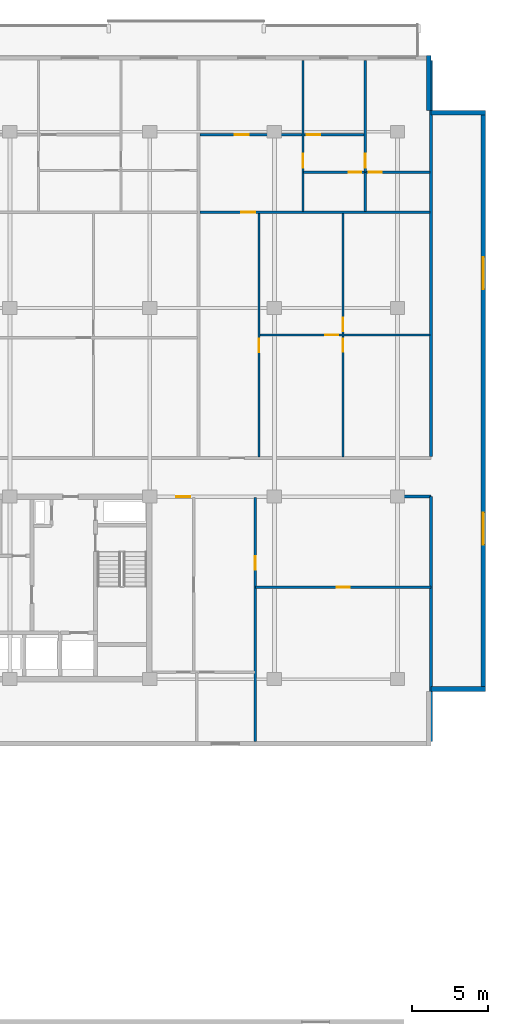
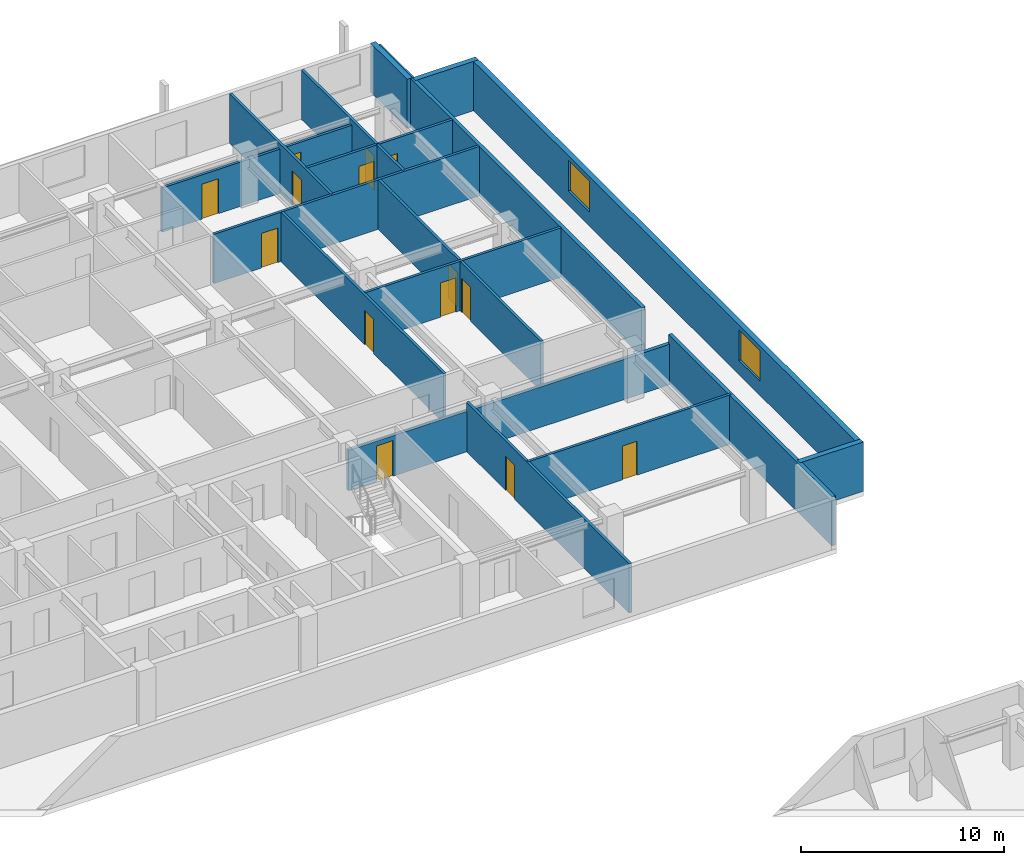
# One storey, part 15 of 21: 18 walls, 14 doors, 2 windows, 16 openings.
"""IFC4 building model written with IfcOpenShell, lengths in metres."""

from ifc_helpers import new_model, si_unit, direction, frame, frame_2d, origin, place, context, subcontext, project, spatial, rectangle, extrude, material, layer, layer_set, type_object, element, fill, save


model = new_model("IFC4")

# Units and contexts
model_context = context("Model", 3, precision=1e-05, world=origin(), true_north=direction((0.0, 1.0)))
body_context = subcontext(model_context, "Body", "Model", "MODEL_VIEW")
ifc_project = project(units=[si_unit("LENGTHUNIT", "METRE"), si_unit("AREAUNIT", "SQUARE_METRE"), si_unit("VOLUMEUNIT", "CUBIC_METRE"), si_unit("PLANEANGLEUNIT", "RADIAN"), si_unit("MASSUNIT", "GRAM", prefix="KILO")], contexts=[model_context])

# Site, building, storey
site_placement = place(None, origin())
site = spatial("IfcSite", under=ifc_project, at=site_placement, CompositionType="ELEMENT")
building_placement = place(site_placement, origin())
building = spatial("IfcBuilding", under=site, at=building_placement, Name="Korimba Cascade Residences", CompositionType="ELEMENT")
storey_placement = place(building_placement, frame((0.0, 0.0, 119.800048828125)))
storey = spatial("IfcBuildingStorey", under=building, at=storey_placement, Name="L34", CompositionType="ELEMENT", Elevation=119.800048828125)

# Wall
ifc_material_1 = material(Name="Precast concrete C40/50", Category="concrete")
ifc_layer_1 = layer(ifc_material_1, 0.300048828125)
ifc_layer_set_1 = layer_set([ifc_layer_1], Name="Precast concrete C40/50")
wall_type_1 = type_object("IfcWallType", Name="EW-STONE-300", PredefinedType="STANDARD", material=ifc_layer_set_1)
wall_1_placement = place(storey_placement, frame((130.60009765625, 54.550048828125, 0.0), z_axis=(0.0, 0.0, 1.0), x_axis=(1.0, 0.0, 0.0)))
element("IfcWall", 1, at=wall_1_placement, inside=storey, type_object=wall_type_1, Name="L34 T1 Perimeter Stone Wall E02", PredefinedType="STANDARD", context=body_context, shape_type="SweptSolid", body=[
    extrude(rectangle(XDim=3.599853515625, YDim=0.300048828125, at=frame_2d((1.7998046875, 0.0))), origin(), (0.0, 0.0, 1.0), 2.969970703125),
])

# Wall, openings, windows
wall_2_placement = place(storey_placement, frame((134.050048828125, 54.39990234375, 0.0), z_axis=(0.0, 0.0, 1.0), x_axis=(0.0, 1.0, 0.0)))
wall_2 = element("IfcWall", 2, at=wall_2_placement, inside=storey, type_object=wall_type_1, Name="L34 T1 Perimeter Stone Wall E03", PredefinedType="STANDARD", context=body_context, shape_type="SweptSolid", body=[
    extrude(rectangle(XDim=38.2001953125, YDim=0.300048828125, at=frame_2d((19.10009765625, 0.0))), origin(), (0.0, 0.0, 1.0), 2.969970703125),
])
opening_1_placement = place(wall_2_placement, frame((9.64599609375, 0.0, 0.85009765625)))
opening_1 = element("IfcOpeningElement", 3, at=opening_1_placement, cuts=wall_2, Name="Opening W-03", PredefinedType="OPENING", context=body_context, shape_type="SweptSolid", body=[
    extrude(rectangle(XDim=2.10009765625, YDim=1.85009765625, at=frame_2d((1.050048828125, 0.925048828125))), frame((0.0, 0.16015625, 0.0), z_axis=(0.0, -1.0, 0.0), x_axis=(1.0, 0.0, 0.0)), (0.0, 0.0, 1.0), 0.320068359375),
])
opening_2_placement = place(wall_2_placement, frame((26.4541015625, 0.0, 0.85009765625)))
opening_2 = element("IfcOpeningElement", 4, at=opening_2_placement, cuts=wall_2, Name="Opening W-03", PredefinedType="OPENING", context=body_context, shape_type="SweptSolid", body=[
    extrude(rectangle(XDim=2.10009765625, YDim=1.85009765625, at=frame_2d((1.050048828125, 0.925048828125))), frame((0.0, 0.16015625, 0.0), z_axis=(0.0, -1.0, 0.0), x_axis=(1.0, 0.0, 0.0)), (0.0, 0.0, 1.0), 0.320068359375),
])
ifc_material_2 = material(Name="Double-Glazed Aluminium Window", Category="aluminium")
window_type = type_object("IfcWindowType", Name="WIN-CRN-2100", PartitioningType="DOUBLE_PANEL_HORIZONTAL", PredefinedType="WINDOW", material=ifc_material_2)
window_1_placement = place(opening_1_placement, origin())
window_1 = element("IfcWindow", 5, at=window_1_placement, inside=storey, type_object=window_type, Name="L34 T1 End View Window 3.1", OverallHeight=1.85009765625, OverallWidth=2.10009765625, PartitioningType="DOUBLE_PANEL_HORIZONTAL", PredefinedType="WINDOW", context=body_context, shape_type="SweptSolid", body=[
    extrude(rectangle(XDim=2.10009765625, YDim=1.85009765625, at=frame_2d((1.050048828125, 0.925048828125))), frame((0.0, 0.030029296875, 0.0), z_axis=(0.0, -1.0, 0.0), x_axis=(1.0, 0.0, 0.0)), (0.0, 0.0, 1.0), 0.06005859375),
])
fill(opening_1, window_1)
window_2_placement = place(opening_2_placement, origin())
window_2 = element("IfcWindow", 6, at=window_2_placement, inside=storey, type_object=window_type, Name="L34 T1 End View Window 3.2", OverallHeight=1.85009765625, OverallWidth=2.10009765625, PartitioningType="DOUBLE_PANEL_HORIZONTAL", PredefinedType="WINDOW", context=body_context, shape_type="SweptSolid", body=[
    extrude(rectangle(XDim=2.10009765625, YDim=1.85009765625, at=frame_2d((1.050048828125, 0.925048828125))), frame((0.0, 0.030029296875, 0.0), z_axis=(0.0, -1.0, 0.0), x_axis=(1.0, 0.0, 0.0)), (0.0, 0.0, 1.0), 0.06005859375),
])
fill(opening_2, window_2)

# Walls
for number, where, z_axis, x_axis, name in (
    (7, (134.199951171875, 92.449951171875, 0.0), (0.0, 0.0, 1.0), (-1.0, 0.0, 0.0), "L34 T1 Perimeter Stone Wall E04"),
    (8, (130.449951171875, 92.60009765625, 0.0), (0.0, 0.0, 1.0), (0.0, 1.0, 0.0), "L34 T1 Perimeter Stone Wall E05"),
):
    element("IfcWall", number, at=place(storey_placement, frame(where, z_axis=z_axis, x_axis=x_axis)), inside=storey, type_object=wall_type_1, Name=name, PredefinedType="STANDARD", context=body_context, shape_type="SweptSolid", body=[
        extrude(rectangle(XDim=3.599853515625, YDim=0.300048828125, at=frame_2d((1.7998046875, 0.0))), origin(), (0.0, 0.0, 1.0), 2.969970703125),
    ])
ifc_layer_2 = layer(ifc_material_1, 0.199951171875)
ifc_layer_set_2 = layer_set([ifc_layer_2], Name="Precast concrete C40/50")
wall_type_2 = type_object("IfcWallType", Name="WAL-IT-200", PredefinedType="PARTITIONING", material=ifc_layer_set_2)
wall_3_placement = place(storey_placement, frame((130.60009765625, 51.10009765625, 0.0), z_axis=(0.0, 0.0, 1.0), x_axis=(0.0, 1.0, 0.0)))
element("IfcWall", 9, at=wall_3_placement, inside=storey, type_object=wall_type_2, Name="L34 Partition Wall WAL-L34-T1-FE-WR", PredefinedType="PARTITIONING", context=body_context, shape_type="SweptSolid", body=[
    extrude(rectangle(XDim=16.099853515625, YDim=0.199951171875, at=frame_2d((8.0498046875, 0.0))), origin(), (0.0, 0.0, 1.0), 2.969970703125),
])

# Wall, opening, door
wall_4_placement = place(storey_placement, frame((112.25, 67.199951171875, 0.0), z_axis=(0.0, 0.0, 1.0), x_axis=(1.0, 0.0, 0.0)))
wall_4 = element("IfcWall", 10, at=wall_4_placement, inside=storey, type_object=wall_type_2, Name="L34 Partition Wall WAL-L34-T1-FE-N", PredefinedType="PARTITIONING", context=body_context, shape_type="SweptSolid", body=[
    extrude(rectangle(XDim=18.35009765625, YDim=0.199951171875, at=frame_2d((9.175048828125, 0.0))), origin(), (0.0, 0.0, 1.0), 2.433349609375),
])
opening_3_placement = place(wall_4_placement, frame((1.580078125, 0.0, 0.0)))
opening_3 = element("IfcOpeningElement", 11, at=opening_3_placement, cuts=wall_4, Name="Opening D-UN1", PredefinedType="OPENING", context=body_context, shape_type="SweptSolid", body=[
    extrude(rectangle(XDim=0.949951171875, YDim=2.14990234375, at=frame_2d((0.47509765625, 1.074951171875))), frame((0.0, 0.10986328125, 0.0), z_axis=(0.0, -1.0, 0.0), x_axis=(1.0, 0.0, 0.0)), (0.0, 0.0, 1.0), 0.219970703125),
])
ifc_material_3 = material(Name="Fire-Rated Hardwood Apartment Entrance Door", Category="wood")
door_type_1 = type_object("IfcDoorType", Name="DR-FD60-950", OperationType="NOTDEFINED", PredefinedType="DOOR", material=ifc_material_3)
door_1_placement = place(opening_3_placement, origin())
door_1 = element("IfcDoor", 12, at=door_1_placement, inside=storey, type_object=door_type_1, Name="L34-T1-FE Entrance Door", OperationType="SINGLE_SWING_RIGHT", OverallHeight=2.14990234375, OverallWidth=0.949951171875, PredefinedType="DOOR", context=body_context, shape_type="SweptSolid", body=[
    extrude(rectangle(XDim=0.949951171875, YDim=2.14990234375, at=frame_2d((0.47509765625, 1.074951171875))), frame((0.0, 0.02490234375, 0.0), z_axis=(0.0, -1.0, 0.0), x_axis=(1.0, 0.0, 0.0)), (0.0, 0.0, 1.0), 0.050048828125),
])
fill(opening_3, door_1)

# Wall
wall_5_placement = place(storey_placement, frame((130.60009765625, 69.830078125, 0.0), z_axis=(0.0, 0.0, 1.0), x_axis=(0.0, 1.0, 0.0)))
element("IfcWall", 13, at=wall_5_placement, inside=storey, type_object=wall_type_2, Name="L34 Partition Wall WAL-L34-T1-BNDWR", PredefinedType="PARTITIONING", context=body_context, shape_type="SweptSolid", body=[
    extrude(rectangle(XDim=26.06982421875, YDim=0.199951171875, at=frame_2d((13.034912109375, 0.0))), origin(), (0.0, 0.0, 1.0), 2.969970703125),
])

# Wall, opening, door
ifc_material_4 = material(Name="Insulated Acoustic Stud Partition", Category="gypsum")
ifc_layer_3 = layer(ifc_material_4, 0.14990234375)
ifc_layer_set_3 = layer_set([ifc_layer_3], Name="Insulated Acoustic Stud Partition")
wall_type_3 = type_object("IfcWallType", Name="WAL-PART-150", PredefinedType="PARTITIONING", material=ifc_layer_set_3)
wall_6_placement = place(storey_placement, frame((119.050048828125, 61.25, 0.0), z_axis=(0.0, 0.0, 1.0), x_axis=(1.0, 0.0, 0.0)))
wall_6 = element("IfcWall", 14, at=wall_6_placement, inside=storey, type_object=wall_type_3, Name="L34 Partition Wall WAL-L34-T1-FE-STH", PredefinedType="PARTITIONING", context=body_context, shape_type="SweptSolid", body=[
    extrude(rectangle(XDim=11.550048828125, YDim=0.14990234375, at=frame_2d((5.77490234375, 0.0))), origin(), (0.0, 0.0, 1.0), 2.969970703125),
])
opening_4_placement = place(wall_6_placement, frame((5.35498046875, 0.0, 0.0)))
opening_4 = element("IfcOpeningElement", 15, at=opening_4_placement, cuts=wall_6, Name="Opening D-BT1", PredefinedType="OPENING", context=body_context, shape_type="SweptSolid", body=[
    extrude(rectangle(XDim=0.840087890625, YDim=2.0400390625, at=frame_2d((0.419921875, 1.02001953125))), frame((0.0, 0.0849609375, 0.0), z_axis=(0.0, -1.0, 0.0), x_axis=(1.0, 0.0, 0.0)), (0.0, 0.0, 1.0), 0.169921875),
])
ifc_material_5 = material(Name="Moisture-Resistant Bathroom Timber Door", Category="wood")
door_type_2 = type_object("IfcDoorType", Name="DR-INT-850", OperationType="NOTDEFINED", PredefinedType="DOOR", material=ifc_material_5)
door_2_placement = place(opening_4_placement, origin())
door_2 = element("IfcDoor", 16, at=door_2_placement, inside=storey, type_object=door_type_2, Name="L34-T1-FE Dressing Store Door", OperationType="SINGLE_SWING_LEFT", OverallHeight=2.0400390625, OverallWidth=0.840087890625, PredefinedType="DOOR", context=body_context, shape_type="SweptSolid", body=[
    extrude(rectangle(XDim=0.840087890625, YDim=2.0400390625, at=frame_2d((0.419921875, 1.02001953125))), frame((0.0, 0.02490234375, 0.0), z_axis=(0.0, -1.0, 0.0), x_axis=(1.0, 0.0, 0.0)), (0.0, 0.0, 1.0), 0.050048828125),
])
fill(opening_4, door_2)

wall_7_placement = place(storey_placement, frame((119.050048828125, 51.10009765625, 0.0), z_axis=(0.0, 0.0, 1.0), x_axis=(0.0, 1.0, 0.0)))
wall_7 = element("IfcWall", 17, at=wall_7_placement, inside=storey, type_object=wall_type_3, Name="L34 Partition Wall WAL-L34-T1-FE-STV", PredefinedType="PARTITIONING", context=body_context, shape_type="SweptSolid", body=[
    extrude(rectangle(XDim=16.0498046875, YDim=0.14990234375, at=frame_2d((8.02490234375, 0.0))), origin(), (0.0, 0.0, 1.0), 2.969970703125),
])
opening_5_placement = place(wall_7_placement, frame((11.300048828125, 0.0, 0.0)))
opening_5 = element("IfcOpeningElement", 18, at=opening_5_placement, cuts=wall_7, Name="Opening D-IN2", PredefinedType="OPENING", context=body_context, shape_type="SweptSolid", body=[
    extrude(rectangle(XDim=0.8798828125, YDim=2.06005859375, at=frame_2d((0.43994140625, 1.030029296875))), frame((0.0, 0.0849609375, 0.0), z_axis=(0.0, -1.0, 0.0), x_axis=(1.0, 0.0, 0.0)), (0.0, 0.0, 1.0), 0.169921875),
])
ifc_material_6 = material(Name="Acoustic Timber Bedroom Door", Category="wood")
door_type_3 = type_object("IfcDoorType", Name="DR-INT-880", OperationType="NOTDEFINED", PredefinedType="DOOR", material=ifc_material_6)
door_3_placement = place(opening_5_placement, origin())
door_3 = element("IfcDoor", 19, at=door_3_placement, inside=storey, type_object=door_type_3, Name="L34-T1-FE Study Door", OperationType="SINGLE_SWING_RIGHT", OverallHeight=2.06005859375, OverallWidth=0.8798828125, PredefinedType="DOOR", context=body_context, shape_type="SweptSolid", body=[
    extrude(rectangle(XDim=0.8798828125, YDim=2.06005859375, at=frame_2d((0.43994140625, 1.030029296875))), frame((0.0, 0.02490234375, 0.0), z_axis=(0.0, -1.0, 0.0), x_axis=(1.0, 0.0, 0.0)), (0.0, 0.0, 1.0), 0.050048828125),
])
fill(opening_5, door_3)

# Wall, openings, doors
wall_8_placement = place(storey_placement, frame((124.8154296875, 69.81005859375, 0.0), z_axis=(0.0, 0.0, 1.0), x_axis=(0.0, 1.0, 0.0)))
wall_8 = element("IfcWall", 20, at=wall_8_placement, inside=storey, type_object=wall_type_3, Name="L34 Partition Wall WAL-L34-T1-U04-FMV", PredefinedType="PARTITIONING", context=body_context, shape_type="SweptSolid", body=[
    extrude(rectangle(XDim=16.050048828125, YDim=0.14990234375, at=frame_2d((8.02490234375, 0.0))), origin(), (0.0, 0.0, 1.0), 2.969970703125),
])
opening_6_placement = place(wall_8_placement, frame((6.93505859375, 0.0, 0.0)))
opening_6 = element("IfcOpeningElement", 21, at=opening_6_placement, cuts=wall_8, Name="Opening D-BT1", PredefinedType="OPENING", context=body_context, shape_type="SweptSolid", body=[
    extrude(rectangle(XDim=0.840087890625, YDim=2.0400390625, at=frame_2d((0.419921875, 1.02001953125))), frame((0.0, 0.0849609375, 0.0), z_axis=(0.0, -1.0, 0.0), x_axis=(1.0, 0.0, 0.0)), (0.0, 0.0, 1.0), 0.169921875),
])
opening_7_placement = place(wall_8_placement, frame((8.27490234375, 0.0, 0.0)))
opening_7 = element("IfcOpeningElement", 22, at=opening_7_placement, cuts=wall_8, Name="Opening D-IN2", PredefinedType="OPENING", context=body_context, shape_type="SweptSolid", body=[
    extrude(rectangle(XDim=0.8798828125, YDim=2.06005859375, at=frame_2d((0.43994140625, 1.030029296875))), frame((0.0, 0.0849609375, 0.0), z_axis=(0.0, -1.0, 0.0), x_axis=(1.0, 0.0, 0.0)), (0.0, 0.0, 1.0), 0.169921875),
])
door_4_placement = place(opening_6_placement, origin())
door_4 = element("IfcDoor", 23, at=door_4_placement, inside=storey, type_object=door_type_2, Name="L34-T1-U04 Wardrobe Door", OperationType="SINGLE_SWING_RIGHT", OverallHeight=2.0400390625, OverallWidth=0.840087890625, PredefinedType="DOOR", context=body_context, shape_type="SweptSolid", body=[
    extrude(rectangle(XDim=0.840087890625, YDim=2.0400390625, at=frame_2d((0.419921875, 1.02001953125))), frame((0.0, 0.02490234375, 0.0), z_axis=(0.0, -1.0, 0.0), x_axis=(1.0, 0.0, 0.0)), (0.0, 0.0, 1.0), 0.050048828125),
])
fill(opening_6, door_4)
door_5_placement = place(opening_7_placement, origin())
door_5 = element("IfcDoor", 24, at=door_5_placement, inside=storey, type_object=door_type_3, Name="L34-T1-U04 Music Lounge Door", OperationType="SINGLE_SWING_LEFT", OverallHeight=2.06005859375, OverallWidth=0.8798828125, PredefinedType="DOOR", context=body_context, shape_type="SweptSolid", body=[
    extrude(rectangle(XDim=0.8798828125, YDim=2.06005859375, at=frame_2d((0.43994140625, 1.030029296875))), frame((0.0, 0.02490234375, 0.0), z_axis=(0.0, -1.0, 0.0), x_axis=(1.0, 0.0, 0.0)), (0.0, 0.0, 1.0), 0.050048828125),
])
fill(opening_7, door_5)

# Wall, opening, door
wall_9_placement = place(storey_placement, frame((119.35107421875, 77.8349609375, 0.0), z_axis=(0.0, 0.0, 1.0), x_axis=(1.0, 0.0, 0.0)))
wall_9 = element("IfcWall", 25, at=wall_9_placement, inside=storey, type_object=wall_type_3, Name="L34 Partition Wall WAL-L34-T1-U04-FMH", PredefinedType="PARTITIONING", context=body_context, shape_type="SweptSolid", body=[
    extrude(rectangle(XDim=11.1689453125, YDim=0.14990234375, at=frame_2d((5.58447265625, 0.0))), origin(), (0.0, 0.0, 1.0), 2.969970703125),
])
opening_8_placement = place(wall_9_placement, frame((4.2841796875, 0.0, 0.0)))
opening_8 = element("IfcOpeningElement", 26, at=opening_8_placement, cuts=wall_9, Name="Opening D-IN2", PredefinedType="OPENING", context=body_context, shape_type="SweptSolid", body=[
    extrude(rectangle(XDim=0.8798828125, YDim=2.06005859375, at=frame_2d((0.43994140625, 1.030029296875))), frame((0.0, 0.0849609375, 0.0), z_axis=(0.0, -1.0, 0.0), x_axis=(1.0, 0.0, 0.0)), (0.0, 0.0, 1.0), 0.169921875),
])
door_6_placement = place(opening_8_placement, origin())
door_6 = element("IfcDoor", 27, at=door_6_placement, inside=storey, type_object=door_type_3, Name="L34-T1-U04 Library Salon Door", OperationType="SINGLE_SWING_RIGHT", OverallHeight=2.06005859375, OverallWidth=0.8798828125, PredefinedType="DOOR", context=body_context, shape_type="SweptSolid", body=[
    extrude(rectangle(XDim=0.8798828125, YDim=2.06005859375, at=frame_2d((0.43994140625, 1.030029296875))), frame((0.0, 0.02490234375, 0.0), z_axis=(0.0, -1.0, 0.0), x_axis=(1.0, 0.0, 0.0)), (0.0, 0.0, 1.0), 0.050048828125),
])
fill(opening_8, door_6)

wall_10_placement = place(storey_placement, frame((119.291015625, 69.81005859375, 0.0), z_axis=(0.0, 0.0, 1.0), x_axis=(0.0, 1.0, 0.0)))
wall_10 = element("IfcWall", 28, at=wall_10_placement, inside=storey, type_object=wall_type_3, Name="L34 Partition Wall WAL-L34-T1-U04-FV", PredefinedType="PARTITIONING", context=body_context, shape_type="SweptSolid", body=[
    extrude(rectangle(XDim=16.050048828125, YDim=0.14990234375, at=frame_2d((8.02490234375, 0.0))), origin(), (0.0, 0.0, 1.0), 2.969970703125),
])
opening_9_placement = place(wall_10_placement, frame((6.89501953125, 0.0, 0.0)))
opening_9 = element("IfcOpeningElement", 29, at=opening_9_placement, cuts=wall_10, Name="Opening D-IN2", PredefinedType="OPENING", context=body_context, shape_type="SweptSolid", body=[
    extrude(rectangle(XDim=0.8798828125, YDim=2.06005859375, at=frame_2d((0.43994140625, 1.030029296875))), frame((0.0, 0.0849609375, 0.0), z_axis=(0.0, -1.0, 0.0), x_axis=(1.0, 0.0, 0.0)), (0.0, 0.0, 1.0), 0.169921875),
])
door_7_placement = place(opening_9_placement, origin())
door_7 = element("IfcDoor", 30, at=door_7_placement, inside=storey, type_object=door_type_3, Name="L34-T1-U04 Media Lounge Door", OperationType="SINGLE_SWING_LEFT", OverallHeight=2.06005859375, OverallWidth=0.8798828125, PredefinedType="DOOR", context=body_context, shape_type="SweptSolid", body=[
    extrude(rectangle(XDim=0.8798828125, YDim=2.06005859375, at=frame_2d((0.43994140625, 1.030029296875))), frame((0.0, 0.02490234375, 0.0), z_axis=(0.0, -1.0, 0.0), x_axis=(1.0, 0.0, 0.0)), (0.0, 0.0, 1.0), 0.050048828125),
])
fill(opening_9, door_7)

wall_11_placement = place(storey_placement, frame((122.179931640625, 85.93994140625, 0.0), z_axis=(0.0, 0.0, 1.0), x_axis=(0.0, 1.0, 0.0)))
wall_11 = element("IfcWall", 31, at=wall_11_placement, inside=storey, type_object=wall_type_3, Name="L34 Partition Wall WAL-L34-T1-U04-V1", PredefinedType="PARTITIONING", context=body_context, shape_type="SweptSolid", body=[
    extrude(rectangle(XDim=9.9599609375, YDim=0.14990234375, at=frame_2d((4.97998046875, 0.0))), origin(), (0.0, 0.0, 1.0), 2.969970703125),
])
opening_10_placement = place(wall_11_placement, frame((2.8798828125, 0.0, 0.0)))
opening_10 = element("IfcOpeningElement", 32, at=opening_10_placement, cuts=wall_11, Name="Opening D-IN1", PredefinedType="OPENING", context=body_context, shape_type="SweptSolid", body=[
    extrude(rectangle(XDim=0.919921875, YDim=2.080078125, at=frame_2d((0.4599609375, 1.0400390625))), frame((0.0, 0.0849609375, 0.0), z_axis=(0.0, -1.0, 0.0), x_axis=(1.0, 0.0, 0.0)), (0.0, 0.0, 1.0), 0.169921875),
])
ifc_material_7 = material(Name="Acoustic Timber Living Door", Category="wood")
door_type_4 = type_object("IfcDoorType", Name="DR-INT-920", OperationType="NOTDEFINED", PredefinedType="DOOR", material=ifc_material_7)
door_8_placement = place(opening_10_placement, origin())
door_8 = element("IfcDoor", 33, at=door_8_placement, inside=storey, type_object=door_type_4, Name="L34-T1-U04 Hallway Door", OperationType="SINGLE_SWING_RIGHT", OverallHeight=2.080078125, OverallWidth=0.919921875, PredefinedType="DOOR", context=body_context, shape_type="SweptSolid", body=[
    extrude(rectangle(XDim=0.919921875, YDim=2.080078125, at=frame_2d((0.4599609375, 1.0400390625))), frame((0.0, 0.02490234375, 0.0), z_axis=(0.0, -1.0, 0.0), x_axis=(1.0, 0.0, 0.0)), (0.0, 0.0, 1.0), 0.050048828125),
])
fill(opening_10, door_8)

# Wall
wall_12_placement = place(storey_placement, frame((126.27001953125, 85.93994140625, 0.0), z_axis=(0.0, 0.0, 1.0), x_axis=(0.0, 1.0, 0.0)))
element("IfcWall", 34, at=wall_12_placement, inside=storey, type_object=wall_type_3, Name="L34 Partition Wall WAL-L34-T1-U04-VBATH", PredefinedType="PARTITIONING", context=body_context, shape_type="SweptSolid", body=[
    extrude(rectangle(XDim=2.580078125, YDim=0.14990234375, at=frame_2d((1.2900390625, 0.0))), origin(), (0.0, 0.0, 1.0), 2.969970703125),
])

# Wall, opening, door
wall_13_placement = place(storey_placement, frame((126.27001953125, 88.56005859375, 0.0), z_axis=(0.0, 0.0, 1.0), x_axis=(0.0, 1.0, 0.0)))
wall_13 = element("IfcWall", 35, at=wall_13_placement, inside=storey, type_object=wall_type_3, Name="L34 Partition Wall WAL-L34-T1-U04-V2FULL", PredefinedType="PARTITIONING", context=body_context, shape_type="SweptSolid", body=[
    extrude(rectangle(XDim=7.33984375, YDim=0.14990234375, at=frame_2d((3.669921875, 0.0))), origin(), (0.0, 0.0, 1.0), 2.969970703125),
])
opening_11_placement = place(wall_13_placement, frame((0.260009765625, 0.0, 0.0)))
opening_11 = element("IfcOpeningElement", 36, at=opening_11_placement, cuts=wall_13, Name="Opening D-IN1", PredefinedType="OPENING", context=body_context, shape_type="SweptSolid", body=[
    extrude(rectangle(XDim=0.919921875, YDim=2.080078125, at=frame_2d((0.4599609375, 1.0400390625))), frame((0.0, 0.0849609375, 0.0), z_axis=(0.0, -1.0, 0.0), x_axis=(1.0, 0.0, 0.0)), (0.0, 0.0, 1.0), 0.169921875),
])
door_9_placement = place(opening_11_placement, origin())
door_9 = element("IfcDoor", 37, at=door_9_placement, inside=storey, type_object=door_type_4, Name="L34-T1-U04 Master Bedroom Door", OperationType="SINGLE_SWING_LEFT", OverallHeight=2.080078125, OverallWidth=0.919921875, PredefinedType="DOOR", context=body_context, shape_type="SweptSolid", body=[
    extrude(rectangle(XDim=0.919921875, YDim=2.080078125, at=frame_2d((0.4599609375, 1.0400390625))), frame((0.0, 0.02490234375, 0.0), z_axis=(0.0, -1.0, 0.0), x_axis=(1.0, 0.0, 0.0)), (0.0, 0.0, 1.0), 0.050048828125),
])
fill(opening_11, door_9)

# Wall, openings, doors
wall_14_placement = place(storey_placement, frame((122.219970703125, 88.5400390625, 0.0), z_axis=(0.0, 0.0, 1.0), x_axis=(1.0, 0.0, 0.0)))
wall_14 = element("IfcWall", 38, at=wall_14_placement, inside=storey, type_object=wall_type_3, Name="L34 Partition Wall WAL-L34-T1-U04-HWALL", PredefinedType="PARTITIONING", context=body_context, shape_type="SweptSolid", body=[
    extrude(rectangle(XDim=8.300048828125, YDim=0.14990234375, at=frame_2d((4.14990234375, 0.0))), origin(), (0.0, 0.0, 1.0), 2.969970703125),
])
opening_12_placement = place(wall_14_placement, frame((2.9599609375, 0.0, 0.0)))
opening_12 = element("IfcOpeningElement", 39, at=opening_12_placement, cuts=wall_14, Name="Opening D-BT1", PredefinedType="OPENING", context=body_context, shape_type="SweptSolid", body=[
    extrude(rectangle(XDim=0.840087890625, YDim=2.0400390625, at=frame_2d((0.419921875, 1.02001953125))), frame((0.0, 0.0849609375, 0.0), z_axis=(0.0, -1.0, 0.0), x_axis=(1.0, 0.0, 0.0)), (0.0, 0.0, 1.0), 0.169921875),
])
opening_13_placement = place(wall_14_placement, frame((4.300048828125, 0.0, 0.0)))
opening_13 = element("IfcOpeningElement", 40, at=opening_13_placement, cuts=wall_14, Name="Opening D-BT1", PredefinedType="OPENING", context=body_context, shape_type="SweptSolid", body=[
    extrude(rectangle(XDim=0.840087890625, YDim=2.0400390625, at=frame_2d((0.419921875, 1.02001953125))), frame((0.0, 0.0849609375, 0.0), z_axis=(0.0, -1.0, 0.0), x_axis=(1.0, 0.0, 0.0)), (0.0, 0.0, 1.0), 0.169921875),
])
door_10_placement = place(opening_12_placement, origin())
door_10 = element("IfcDoor", 41, at=door_10_placement, inside=storey, type_object=door_type_2, Name="L34-T1-U04 Family Bathroom Door", OperationType="SINGLE_SWING_RIGHT", OverallHeight=2.0400390625, OverallWidth=0.840087890625, PredefinedType="DOOR", context=body_context, shape_type="SweptSolid", body=[
    extrude(rectangle(XDim=0.840087890625, YDim=2.0400390625, at=frame_2d((0.419921875, 1.02001953125))), frame((0.0, 0.02490234375, 0.0), z_axis=(0.0, -1.0, 0.0), x_axis=(1.0, 0.0, 0.0)), (0.0, 0.0, 1.0), 0.050048828125),
])
fill(opening_12, door_10)
door_11_placement = place(opening_13_placement, origin())
door_11 = element("IfcDoor", 42, at=door_11_placement, inside=storey, type_object=door_type_2, Name="L34-T1-U04 En-Suite Door", OperationType="SINGLE_SWING_LEFT", OverallHeight=2.0400390625, OverallWidth=0.840087890625, PredefinedType="DOOR", context=body_context, shape_type="SweptSolid", body=[
    extrude(rectangle(XDim=0.840087890625, YDim=2.0400390625, at=frame_2d((0.419921875, 1.02001953125))), frame((0.0, 0.02490234375, 0.0), z_axis=(0.0, -1.0, 0.0), x_axis=(1.0, 0.0, 0.0)), (0.0, 0.0, 1.0), 0.050048828125),
])
fill(opening_13, door_11)

# Wall, opening, door
wall_15_placement = place(storey_placement, frame((115.401123046875, 85.89990234375, 0.0), z_axis=(0.0, 0.0, 1.0), x_axis=(1.0, 0.0, 0.0)))
wall_15 = element("IfcWall", 43, at=wall_15_placement, inside=storey, type_object=wall_type_3, Name="L34 Partition Wall WAL-L34-T1-U04-MW", PredefinedType="PARTITIONING", context=body_context, shape_type="SweptSolid", body=[
    extrude(rectangle(XDim=15.118896484375, YDim=0.14990234375, at=frame_2d((7.5595703125, 0.0))), origin(), (0.0, 0.0, 1.0), 2.969970703125),
])
opening_14_placement = place(wall_15_placement, frame((2.719970703125, 0.0, 0.0)))
opening_14 = element("IfcOpeningElement", 44, at=opening_14_placement, cuts=wall_15, Name="Opening D-IN1", PredefinedType="OPENING", context=body_context, shape_type="SweptSolid", body=[
    extrude(rectangle(XDim=0.919921875, YDim=2.080078125, at=frame_2d((0.4599609375, 1.0400390625))), frame((0.0, 0.0849609375, 0.0), z_axis=(0.0, -1.0, 0.0), x_axis=(1.0, 0.0, 0.0)), (0.0, 0.0, 1.0), 0.169921875),
])
door_12_placement = place(opening_14_placement, origin())
door_12 = element("IfcDoor", 45, at=door_12_placement, inside=storey, type_object=door_type_4, Name="L34-T1-U04 Kitchen Door", OperationType="SINGLE_SWING_RIGHT", OverallHeight=2.080078125, OverallWidth=0.919921875, PredefinedType="DOOR", context=body_context, shape_type="SweptSolid", body=[
    extrude(rectangle(XDim=0.919921875, YDim=2.080078125, at=frame_2d((0.4599609375, 1.0400390625))), frame((0.0, 0.02490234375, 0.0), z_axis=(0.0, -1.0, 0.0), x_axis=(1.0, 0.0, 0.0)), (0.0, 0.0, 1.0), 0.050048828125),
])
fill(opening_14, door_12)

# Wall, openings, doors
wall_16_placement = place(storey_placement, frame((115.401123046875, 91.0, 0.0), z_axis=(0.0, 0.0, 1.0), x_axis=(1.0, 0.0, 0.0)))
wall_16 = element("IfcWall", 46, at=wall_16_placement, inside=storey, type_object=wall_type_3, Name="L34 Partition Wall WAL-L34-T1-U04-HZ", PredefinedType="PARTITIONING", context=body_context, shape_type="SweptSolid", body=[
    extrude(rectangle(XDim=10.868896484375, YDim=0.14990234375, at=frame_2d((5.4345703125, 0.0))), origin(), (0.0, 0.0, 1.0), 2.663330078125),
])
opening_15_placement = place(wall_16_placement, frame((2.27880859375, 0.0, 0.0)))
opening_15 = element("IfcOpeningElement", 47, at=opening_15_placement, cuts=wall_16, Name="Opening D-IN0", PredefinedType="OPENING", context=body_context, shape_type="SweptSolid", body=[
    extrude(rectangle(XDim=0.93994140625, YDim=2.10009765625, at=frame_2d((0.469970703125, 1.050048828125))), frame((0.0, 0.0849609375, 0.0), z_axis=(0.0, -1.0, 0.0), x_axis=(1.0, 0.0, 0.0)), (0.0, 0.0, 1.0), 0.169921875),
])
opening_16_placement = place(wall_16_placement, frame((7.02880859375, 0.0, 0.0)))
opening_16 = element("IfcOpeningElement", 48, at=opening_16_placement, cuts=wall_16, Name="Opening D-IN2", PredefinedType="OPENING", context=body_context, shape_type="SweptSolid", body=[
    extrude(rectangle(XDim=0.8798828125, YDim=2.06005859375, at=frame_2d((0.43994140625, 1.030029296875))), frame((0.0, 0.0849609375, 0.0), z_axis=(0.0, -1.0, 0.0), x_axis=(1.0, 0.0, 0.0)), (0.0, 0.0, 1.0), 0.169921875),
])
door_13_placement = place(opening_16_placement, origin())
door_13 = element("IfcDoor", 49, at=door_13_placement, inside=storey, type_object=door_type_3, Name="L34-T1-U04 Bedroom 2 Door", OperationType="SINGLE_SWING_RIGHT", OverallHeight=2.06005859375, OverallWidth=0.8798828125, PredefinedType="DOOR", context=body_context, shape_type="SweptSolid", body=[
    extrude(rectangle(XDim=0.8798828125, YDim=2.06005859375, at=frame_2d((0.43994140625, 1.030029296875))), frame((0.0, 0.02490234375, 0.0), z_axis=(0.0, -1.0, 0.0), x_axis=(1.0, 0.0, 0.0)), (0.0, 0.0, 1.0), 0.050048828125),
])
fill(opening_16, door_13)
ifc_material_8 = material(Name="Acoustic Timber Living Archway Door", Category="wood")
door_type_5 = type_object("IfcDoorType", Name="DR-INT-950", OperationType="NOTDEFINED", PredefinedType="DOOR", material=ifc_material_8)
door_14_placement = place(opening_15_placement, origin())
door_14 = element("IfcDoor", 50, at=door_14_placement, inside=storey, type_object=door_type_5, Name="L34-T1-U04 Living Room Door", OperationType="SINGLE_SWING_LEFT", OverallHeight=2.10009765625, OverallWidth=0.93994140625, PredefinedType="DOOR", context=body_context, shape_type="SweptSolid", body=[
    extrude(rectangle(XDim=0.93994140625, YDim=2.10009765625, at=frame_2d((0.469970703125, 1.050048828125))), frame((0.0, 0.02490234375, 0.0), z_axis=(0.0, -1.0, 0.0), x_axis=(1.0, 0.0, 0.0)), (0.0, 0.0, 1.0), 0.050048828125),
])
fill(opening_15, door_14)

save(model, "model.ifc")
